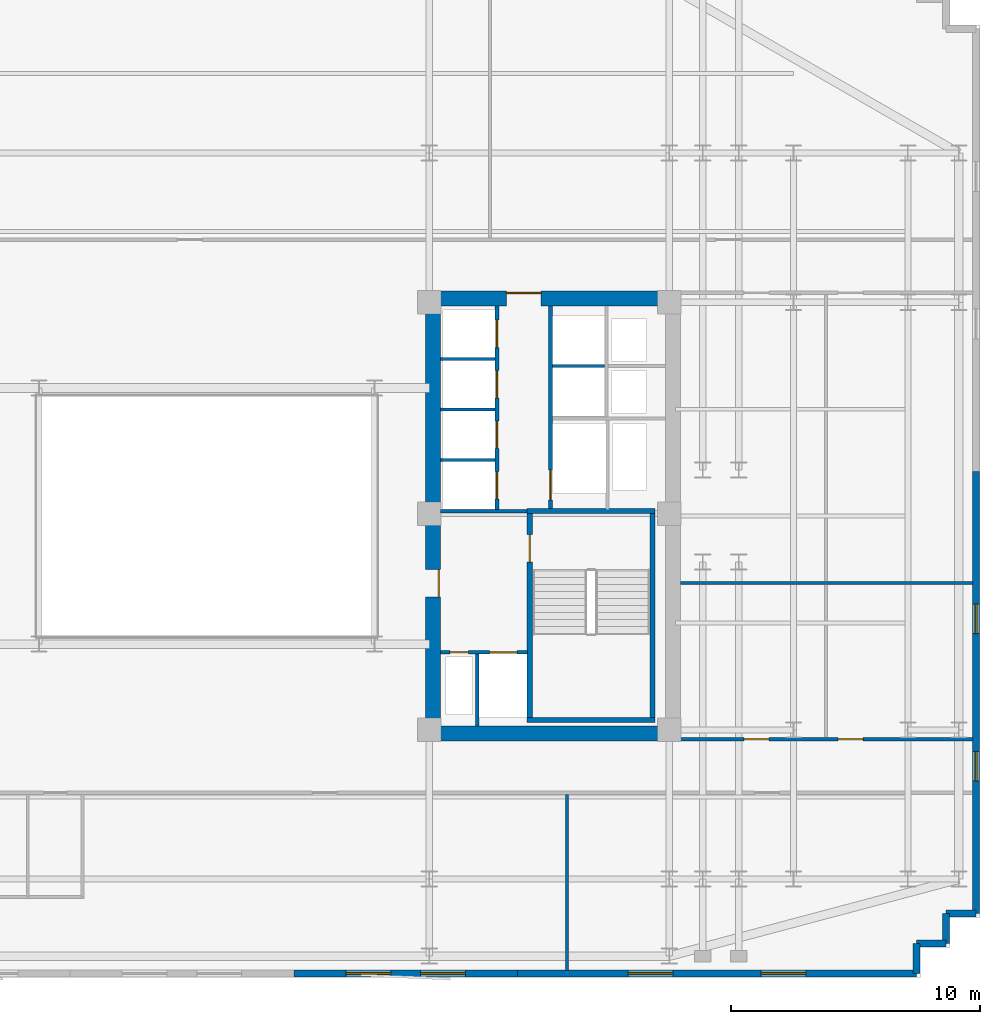
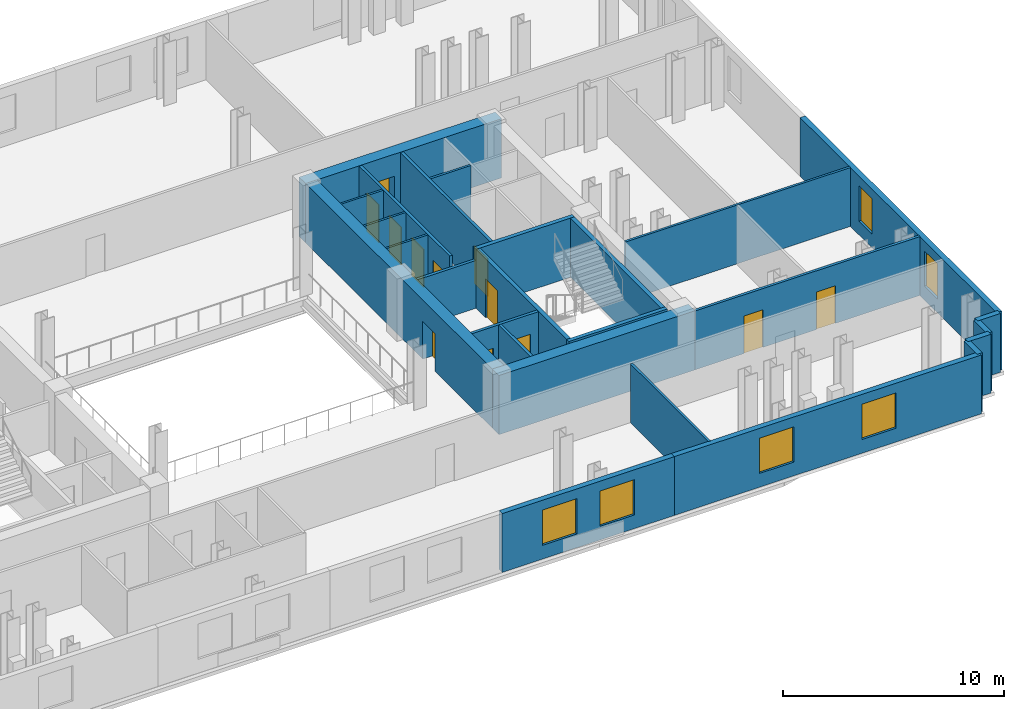
# One storey, part 6 of 10: 26 walls, 12 doors, 6 windows, 18 openings.
"""IFC4 building model written with IfcOpenShell, lengths in metres."""

from ifc_helpers import new_model, si_unit, direction, frame, frame_2d, origin, place, context, subcontext, project, spatial, rectangle, extrude, material, layer, layer_set, type_object, element, fill, save


model = new_model("IFC4")

# Units and contexts
model_context = context("Model", 3, precision=1e-05, world=origin(), true_north=direction((0.0, 1.0)))
body_context = subcontext(model_context, "Body", "Model", "MODEL_VIEW")
ifc_project = project(units=[si_unit("LENGTHUNIT", "METRE"), si_unit("AREAUNIT", "SQUARE_METRE"), si_unit("VOLUMEUNIT", "CUBIC_METRE"), si_unit("PLANEANGLEUNIT", "RADIAN"), si_unit("MASSUNIT", "GRAM", prefix="KILO")], contexts=[model_context])

# Site, building, storey
site_placement = place(None, origin())
site = spatial("IfcSite", under=ifc_project, at=site_placement, CompositionType="ELEMENT")
building_placement = place(site_placement, origin())
building = spatial("IfcBuilding", under=site, at=building_placement, Name="Velakula Bourse", CompositionType="ELEMENT")
storey_placement = place(building_placement, frame((0.0, 0.0, 124.300048828125)))
storey = spatial("IfcBuildingStorey", under=building, at=storey_placement, Name="L33", CompositionType="ELEMENT", Elevation=124.300048828125)

# Wall, opening, door
ifc_material_1 = material(Name="Concrete M50 (fck 50 MPa)", Category="concrete")
ifc_layer_1 = layer(ifc_material_1, 0.2099609375, Name="Concrete M50 (fck 50 MPa)", Category="concrete")
ifc_layer_set_1 = layer_set([ifc_layer_1], Name="Concrete M50 (fck 50 MPa)")
wall_type_1 = type_object("IfcWallType", Name="WL-CORE-210", PredefinedType="SHEAR", material=ifc_layer_set_1)
wall_1_placement = place(storey_placement, frame((12.9951171875, -8.10009765625, 0.0), z_axis=(0.0, 0.0, 1.0), x_axis=(0.0, 1.0, 0.0)))
wall_1 = element("IfcWall", 1, at=wall_1_placement, inside=storey, type_object=wall_type_1, Name="L33 Core E Stairwell Shear Wall IN", PredefinedType="SHEAR", context=body_context, shape_type="SweptSolid", body=[
    extrude(rectangle(XDim=8.2001953125, YDim=0.2099609375, at=frame_2d((4.10009765625, 0.0))), origin(), (0.0, 0.0, 1.0), 3.27001953125),
])
opening_1_placement = place(wall_1_placement, frame((6.25, 0.0, 0.0)))
opening_1 = element("IfcOpeningElement", 2, at=opening_1_placement, cuts=wall_1, Name="Opening D-STE1", PredefinedType="OPENING", context=body_context, shape_type="SweptSolid", body=[
    extrude(rectangle(XDim=1.10009765625, YDim=2.14990234375, at=frame_2d((0.550048828125, 1.074951171875))), frame((0.0, 0.114990234375, 0.0), z_axis=(0.0, -1.0, 0.0), x_axis=(1.0, 0.0, 0.0)), (0.0, 0.0, 1.0), 0.22998046875),
])
ifc_material_2 = material(Name="Galvanised painted hollow steel fire door", Category="steel")
door_type_1 = type_object("IfcDoorType", Name="DR-FD120-1100x2150", OperationType="NOTDEFINED", PredefinedType="DOOR", material=ifc_material_2)
door_1_placement = place(opening_1_placement, origin())
door_1 = element("IfcDoor", 3, at=door_1_placement, inside=storey, type_object=door_type_1, Name="L33 Stair ST-E1 Fire Door", OperationType="SINGLE_SWING_RIGHT", OverallHeight=2.14990234375, OverallWidth=1.10009765625, PredefinedType="DOOR", context=body_context, shape_type="SweptSolid", body=[
    extrude(rectangle(XDim=1.10009765625, YDim=2.14990234375, at=frame_2d((0.550048828125, 1.074951171875))), frame((0.0, 0.02490234375, 0.0), z_axis=(0.0, -1.0, 0.0), x_axis=(1.0, 0.0, 0.0)), (0.0, 0.0, 1.0), 0.050048828125),
])
fill(opening_1, door_1)

# Walls
wall_2_placement = place(storey_placement, frame((17.925048828125, -8.10009765625, 0.0), z_axis=(0.0, 0.0, 1.0), x_axis=(0.0, 1.0, 0.0)))
element("IfcWall", 4, at=wall_2_placement, inside=storey, type_object=wall_type_1, Name="L33 Core E Stairwell Shear Wall OUT", PredefinedType="SHEAR", context=body_context, shape_type="SweptSolid", body=[
    extrude(rectangle(XDim=8.2001953125, YDim=0.2099609375, at=frame_2d((4.10009765625, 0.0))), origin(), (0.0, 0.0, 1.0), 3.27001953125),
])
for number, where, z_axis, x_axis, name in (
    (5, (12.889892578125, -8.205078125, 0.0), (0.0, 0.0, 1.0), (1.0, 0.0, 0.0), "L33 Core E Stairwell Shear Wall S"),
    (6, (18.030029296875, 0.205078125, 0.0), (0.0, 0.0, 1.0), (-1.0, 0.0, 0.0), "L33 Core E Stairwell Shear Wall N"),
):
    element("IfcWall", number, at=place(storey_placement, frame(where, z_axis=z_axis, x_axis=x_axis)), inside=storey, type_object=wall_type_1, Name=name, PredefinedType="SHEAR", context=body_context, shape_type="SweptSolid", body=[
        extrude(rectangle(XDim=5.14013671875, YDim=0.2099609375, at=frame_2d((2.570068359375, 0.0))), origin(), (0.0, 0.0, 1.0), 3.27001953125),
    ])
ifc_material_3 = material(Name="Concrete M70 (fck 70 MPa)", Category="concrete")
ifc_layer_2 = layer(ifc_material_3, 0.60009765625, Name="Concrete M70 (fck 70 MPa)", Category="concrete")
ifc_layer_set_2 = layer_set([ifc_layer_2], Name="Concrete M70 (fck 70 MPa)")
wall_type_2 = type_object("IfcWallType", Name="WL-CORE-600", PredefinedType="SHEAR", material=ifc_layer_set_2)
wall_3_placement = place(storey_placement, frame((8.800048828125, -8.75, 0.0), z_axis=(0.0, 0.0, 1.0), x_axis=(1.0, 0.0, 0.0)))
element("IfcWall", 7, at=wall_3_placement, inside=storey, type_object=wall_type_2, Name="L33 Core E Shear Wall S", PredefinedType="SHEAR", context=body_context, shape_type="SweptSolid", body=[
    extrude(rectangle(XDim=10.25, YDim=0.60009765625, at=frame_2d((5.125, 0.0))), origin(), (0.0, 0.0, 1.0), 3.27001953125),
])

# Wall, opening, door
wall_4_placement = place(storey_placement, frame((8.800048828125, 8.75, 0.0), z_axis=(0.0, 0.0, 1.0), x_axis=(1.0, 0.0, 0.0)))
wall_4 = element("IfcWall", 8, at=wall_4_placement, inside=storey, type_object=wall_type_2, Name="L33 Core E Shear Wall N", PredefinedType="SHEAR", context=body_context, shape_type="SweptSolid", body=[
    extrude(rectangle(XDim=10.25, YDim=0.60009765625, at=frame_2d((5.125, 0.0))), origin(), (0.0, 0.0, 1.0), 3.27001953125),
])
opening_2_placement = place(wall_4_placement, frame((3.25, 0.0, 0.0)))
opening_2 = element("IfcOpeningElement", 9, at=opening_2_placement, cuts=wall_4, Name="Opening D-LLE", PredefinedType="OPENING", context=body_context, shape_type="SweptSolid", body=[
    extrude(rectangle(XDim=1.39990234375, YDim=2.050048828125, at=frame_2d((0.699951171875, 1.02490234375))), frame((0.0, 0.31005859375, 0.0), z_axis=(0.0, -1.0, 0.0), x_axis=(1.0, 0.0, 0.0)), (0.0, 0.0, 1.0), 0.6201171875),
])
ifc_material_4 = material(Name="Fire-rated hardwood flush architectural door", Category="wood")
door_type_2 = type_object("IfcDoorType", Name="DR-DBL-FD60-1400", OperationType="DOUBLE_DOOR_SINGLE_SWING", PredefinedType="DOOR", material=ifc_material_4)
door_2_placement = place(opening_2_placement, origin())
door_2 = element("IfcDoor", 10, at=door_2_placement, inside=storey, type_object=door_type_2, Name="L33 Core E Lift Lobby Corridor Double Door", OperationType="DOUBLE_DOOR_SINGLE_SWING", OverallHeight=2.050048828125, OverallWidth=1.39990234375, PredefinedType="DOOR", context=body_context, shape_type="SweptSolid", body=[
    extrude(rectangle(XDim=1.39990234375, YDim=2.050048828125, at=frame_2d((0.699951171875, 1.02490234375))), frame((0.0, 0.2451171875, 0.0), z_axis=(0.0, -1.0, 0.0), x_axis=(1.0, 0.0, 0.0)), (0.0, 0.0, 1.0), 0.050048828125),
])
fill(opening_2, door_2)

wall_5_placement = place(storey_placement, frame((9.10009765625, -8.449951171875, 0.0), z_axis=(0.0, 0.0, 1.0), x_axis=(0.0, 1.0, 0.0)))
wall_5 = element("IfcWall", 11, at=wall_5_placement, inside=storey, type_object=wall_type_2, Name="L33 Core E Shear Wall W", PredefinedType="SHEAR", context=body_context, shape_type="SweptSolid", body=[
    extrude(rectangle(XDim=16.89990234375, YDim=0.60009765625, at=frame_2d((8.449951171875, 0.0))), origin(), (0.0, 0.0, 1.0), 3.27001953125),
])
opening_3_placement = place(wall_5_placement, frame((5.199951171875, 0.0, 0.0)))
opening_3 = element("IfcOpeningElement", 12, at=opening_3_placement, cuts=wall_5, Name="Opening D-FLE", PredefinedType="OPENING", context=body_context, shape_type="SweptSolid", body=[
    extrude(rectangle(XDim=1.10009765625, YDim=2.080078125, at=frame_2d((0.550048828125, 1.0400390625))), frame((0.0, 0.31005859375, 0.0), z_axis=(0.0, -1.0, 0.0), x_axis=(1.0, 0.0, 0.0)), (0.0, 0.0, 1.0), 0.6201171875),
])
door_type_3 = type_object("IfcDoorType", Name="DR-FD120-1100", OperationType="NOTDEFINED", PredefinedType="DOOR", material=ifc_material_2)
door_3_placement = place(opening_3_placement, origin())
door_3 = element("IfcDoor", 13, at=door_3_placement, inside=storey, type_object=door_type_3, Name="L33 Firefighting Lobby E Corridor Fire Door", OperationType="SINGLE_SWING_RIGHT", OverallHeight=2.080078125, OverallWidth=1.10009765625, PredefinedType="DOOR", context=body_context, shape_type="SweptSolid", body=[
    extrude(rectangle(XDim=1.10009765625, YDim=2.080078125, at=frame_2d((0.550048828125, 1.0400390625))), frame((0.0, -0.205078125, 0.0), z_axis=(0.0, -1.0, 0.0), x_axis=(1.0, 0.0, 0.0)), (0.0, 0.0, 1.0), 0.050048828125),
])
fill(opening_3, door_3)

# Wall, openings, windows
ifc_material_5 = material(Name="Red kilned clay facing brick masonry", Category="masonry")
ifc_layer_3 = layer(ifc_material_5, 0.280029296875, Name="Red kilned clay facing brick masonry", Category="masonry")
ifc_layer_set_3 = layer_set([ifc_layer_3], Name="Red kilned clay facing brick masonry")
wall_type_3 = type_object("IfcWallType", Name="WL-EXT-BRK-280", PredefinedType="STANDARD", material=ifc_layer_set_3)
wall_6_placement = place(storey_placement, frame((12.5, -18.389892578125, 0.0), z_axis=(0.0, 0.0, 1.0), x_axis=(-1.0, 0.0, 0.0)))
wall_6 = element("IfcWall", 14, at=wall_6_placement, inside=storey, type_object=wall_type_3, Name="L33 S Brick Spandrel Wall B4", PredefinedType="STANDARD", context=body_context, shape_type="SweptSolid", body=[
    extrude(rectangle(XDim=9.0, YDim=0.280029296875, at=frame_2d((4.5, 0.0))), origin(), (0.0, 0.0, 1.0), 3.25),
])
opening_4_placement = place(wall_6_placement, frame((2.10009765625, 0.0, 0.760009765625)))
opening_4 = element("IfcOpeningElement", 15, at=opening_4_placement, cuts=wall_6, Name="Opening W-01", PredefinedType="OPENING", context=body_context, shape_type="SweptSolid", body=[
    extrude(rectangle(XDim=1.800048828125, YDim=1.949951171875, at=frame_2d((0.89990234375, 0.97509765625))), frame((0.0, 0.14990234375, 0.0), z_axis=(0.0, -1.0, 0.0), x_axis=(1.0, 0.0, 0.0)), (0.0, 0.0, 1.0), 0.300048828125),
])
opening_5_placement = place(wall_6_placement, frame((5.10009765625, 0.0, 0.760009765625)))
opening_5 = element("IfcOpeningElement", 16, at=opening_5_placement, cuts=wall_6, Name="Opening W-01", PredefinedType="OPENING", context=body_context, shape_type="SweptSolid", body=[
    extrude(rectangle(XDim=1.800048828125, YDim=1.949951171875, at=frame_2d((0.89990234375, 0.97509765625))), frame((0.0, 0.14990234375, 0.0), z_axis=(0.0, -1.0, 0.0), x_axis=(1.0, 0.0, 0.0)), (0.0, 0.0, 1.0), 0.300048828125),
])
ifc_material_6 = material(Name="Double-glazed solar-control Low-E glass", Category="glass")
window_type_1 = type_object("IfcWindowType", Name="WIN-TWR-1800x2100", PartitioningType="SINGLE_PANEL", PredefinedType="WINDOW", material=ifc_material_6)
window_1_placement = place(opening_4_placement, origin())
window_1 = element("IfcWindow", 17, at=window_1_placement, inside=storey, type_object=window_type_1, Name="L33 Deep-Set Recessed Window 1", OverallHeight=1.949951171875, OverallWidth=1.800048828125, PartitioningType="SINGLE_PANEL", PredefinedType="WINDOW", context=body_context, shape_type="SweptSolid", body=[
    extrude(rectangle(XDim=1.800048828125, YDim=1.949951171875, at=frame_2d((0.89990234375, 0.97509765625))), frame((0.0, 0.030029296875, 0.0), z_axis=(0.0, -1.0, 0.0), x_axis=(1.0, 0.0, 0.0)), (0.0, 0.0, 1.0), 0.06005859375),
])
fill(opening_4, window_1)
window_2_placement = place(opening_5_placement, origin())
window_2 = element("IfcWindow", 18, at=window_2_placement, inside=storey, type_object=window_type_1, Name="L33 Deep-Set Recessed Window 2", OverallHeight=1.949951171875, OverallWidth=1.800048828125, PartitioningType="SINGLE_PANEL", PredefinedType="WINDOW", context=body_context, shape_type="SweptSolid", body=[
    extrude(rectangle(XDim=1.800048828125, YDim=1.949951171875, at=frame_2d((0.89990234375, 0.97509765625))), frame((0.0, 0.030029296875, 0.0), z_axis=(0.0, -1.0, 0.0), x_axis=(1.0, 0.0, 0.0)), (0.0, 0.0, 1.0), 0.06005859375),
])
fill(opening_5, window_2)

wall_7_placement = place(storey_placement, frame((28.5400390625, -18.389892578125, 0.0), z_axis=(0.0, 0.0, 1.0), x_axis=(-1.0, 0.0, 0.0)))
wall_7 = element("IfcWall", 19, at=wall_7_placement, inside=storey, type_object=wall_type_3, Name="L33 S Brick Spandrel Wall B5", PredefinedType="STANDARD", context=body_context, shape_type="SweptSolid", body=[
    extrude(rectangle(XDim=16.0400390625, YDim=0.280029296875, at=frame_2d((8.02001953125, 0.0))), origin(), (0.0, 0.0, 1.0), 3.25),
])
opening_6_placement = place(wall_7_placement, frame((4.44677734375, 0.0, 0.760009765625)))
opening_6 = element("IfcOpeningElement", 20, at=opening_6_placement, cuts=wall_7, Name="Opening W-01", PredefinedType="OPENING", context=body_context, shape_type="SweptSolid", body=[
    extrude(rectangle(XDim=1.800048828125, YDim=1.949951171875, at=frame_2d((0.89990234375, 0.97509765625))), frame((0.0, 0.14990234375, 0.0), z_axis=(0.0, -1.0, 0.0), x_axis=(1.0, 0.0, 0.0)), (0.0, 0.0, 1.0), 0.300048828125),
])
opening_7_placement = place(wall_7_placement, frame((9.793212890625, 0.0, 0.760009765625)))
opening_7 = element("IfcOpeningElement", 21, at=opening_7_placement, cuts=wall_7, Name="Opening W-01", PredefinedType="OPENING", context=body_context, shape_type="SweptSolid", body=[
    extrude(rectangle(XDim=1.800048828125, YDim=1.949951171875, at=frame_2d((0.89990234375, 0.97509765625))), frame((0.0, 0.14990234375, 0.0), z_axis=(0.0, -1.0, 0.0), x_axis=(1.0, 0.0, 0.0)), (0.0, 0.0, 1.0), 0.300048828125),
])
window_3_placement = place(opening_6_placement, origin())
window_3 = element("IfcWindow", 22, at=window_3_placement, inside=storey, type_object=window_type_1, Name="L33 Deep-Set Recessed Window 1", OverallHeight=1.949951171875, OverallWidth=1.800048828125, PartitioningType="SINGLE_PANEL", PredefinedType="WINDOW", context=body_context, shape_type="SweptSolid", body=[
    extrude(rectangle(XDim=1.800048828125, YDim=1.949951171875, at=frame_2d((0.89990234375, 0.97509765625))), frame((0.0, 0.030029296875, 0.0), z_axis=(0.0, -1.0, 0.0), x_axis=(1.0, 0.0, 0.0)), (0.0, 0.0, 1.0), 0.06005859375),
])
fill(opening_6, window_3)
window_4_placement = place(opening_7_placement, origin())
window_4 = element("IfcWindow", 23, at=window_4_placement, inside=storey, type_object=window_type_1, Name="L33 Deep-Set Recessed Window 2", OverallHeight=1.949951171875, OverallWidth=1.800048828125, PartitioningType="SINGLE_PANEL", PredefinedType="WINDOW", context=body_context, shape_type="SweptSolid", body=[
    extrude(rectangle(XDim=1.800048828125, YDim=1.949951171875, at=frame_2d((0.89990234375, 0.97509765625))), frame((0.0, 0.030029296875, 0.0), z_axis=(0.0, -1.0, 0.0), x_axis=(1.0, 0.0, 0.0)), (0.0, 0.0, 1.0), 0.06005859375),
])
fill(opening_7, window_4)

wall_8_placement = place(storey_placement, frame((30.93994140625, 1.800048828125, 0.0), z_axis=(0.0, 0.0, 1.0), x_axis=(0.0, -1.0, 0.0)))
wall_8 = element("IfcWall", 24, at=wall_8_placement, inside=storey, type_object=wall_type_3, Name="L33 E Brick End Wall W1", PredefinedType="STANDARD", context=body_context, shape_type="SweptSolid", body=[
    extrude(rectangle(XDim=17.7900390625, YDim=0.280029296875, at=frame_2d((8.89501953125, 0.0))), origin(), (0.0, 0.0, 1.0), 3.25),
])
opening_8_placement = place(wall_8_placement, frame((5.330078125, 0.0, 0.760009765625)))
opening_8 = element("IfcOpeningElement", 25, at=opening_8_placement, cuts=wall_8, Name="Opening W-04", PredefinedType="OPENING", context=body_context, shape_type="SweptSolid", body=[
    extrude(rectangle(XDim=1.199951171875, YDim=1.949951171875, at=frame_2d((0.60009765625, 0.97509765625))), frame((0.0, 0.14990234375, 0.0), z_axis=(0.0, -1.0, 0.0), x_axis=(1.0, 0.0, 0.0)), (0.0, 0.0, 1.0), 0.300048828125),
])
opening_9_placement = place(wall_8_placement, frame((11.260009765625, 0.0, 0.760009765625)))
opening_9 = element("IfcOpeningElement", 26, at=opening_9_placement, cuts=wall_8, Name="Opening W-04", PredefinedType="OPENING", context=body_context, shape_type="SweptSolid", body=[
    extrude(rectangle(XDim=1.199951171875, YDim=1.949951171875, at=frame_2d((0.60009765625, 0.97509765625))), frame((0.0, 0.14990234375, 0.0), z_axis=(0.0, -1.0, 0.0), x_axis=(1.0, 0.0, 0.0)), (0.0, 0.0, 1.0), 0.300048828125),
])
window_type_2 = type_object("IfcWindowType", Name="WIN-TWR-1200x2100", PartitioningType="SINGLE_PANEL", PredefinedType="WINDOW", material=ifc_material_6)
window_5_placement = place(opening_8_placement, origin())
window_5 = element("IfcWindow", 27, at=window_5_placement, inside=storey, type_object=window_type_2, Name="L33 Deep-Set Recessed Window 1", OverallHeight=1.949951171875, OverallWidth=1.199951171875, PartitioningType="SINGLE_PANEL", PredefinedType="WINDOW", context=body_context, shape_type="SweptSolid", body=[
    extrude(rectangle(XDim=1.199951171875, YDim=1.949951171875, at=frame_2d((0.60009765625, 0.97509765625))), frame((0.0, 0.030029296875, 0.0), z_axis=(0.0, -1.0, 0.0), x_axis=(1.0, 0.0, 0.0)), (0.0, 0.0, 1.0), 0.06005859375),
])
fill(opening_8, window_5)
window_6_placement = place(opening_9_placement, origin())
window_6 = element("IfcWindow", 28, at=window_6_placement, inside=storey, type_object=window_type_2, Name="L33 Deep-Set Recessed Window 2", OverallHeight=1.949951171875, OverallWidth=1.199951171875, PartitioningType="SINGLE_PANEL", PredefinedType="WINDOW", context=body_context, shape_type="SweptSolid", body=[
    extrude(rectangle(XDim=1.199951171875, YDim=1.949951171875, at=frame_2d((0.60009765625, 0.97509765625))), frame((0.0, 0.030029296875, 0.0), z_axis=(0.0, -1.0, 0.0), x_axis=(1.0, 0.0, 0.0)), (0.0, 0.0, 1.0), 0.06005859375),
])
fill(opening_9, window_6)

# Walls
for number, where, z_axis, x_axis, name in (
    (29, (28.5400390625, -18.389892578125, 0.0), (0.0, 0.0, 1.0), (0.0, 1.0, 0.0), "L33 Serrated Corner Brick Wall SE-1"),
    (30, (28.5400390625, -17.18994140625, 0.0), (0.0, 0.0, 1.0), (1.0, 0.0, 0.0), "L33 Serrated Corner Brick Wall SE-2"),
    (31, (29.739990234375, -17.18994140625, 0.0), (0.0, 0.0, 1.0), (0.0, 1.0, 0.0), "L33 Serrated Corner Brick Wall SE-3"),
    (32, (29.739990234375, -15.989990234375, 0.0), (0.0, 0.0, 1.0), (1.0, 0.0, 0.0), "L33 Serrated Corner Brick Wall SE-4"),
):
    element("IfcWall", number, at=place(storey_placement, frame(where, z_axis=z_axis, x_axis=x_axis)), inside=storey, type_object=wall_type_3, Name=name, PredefinedType="STANDARD", context=body_context, shape_type="SweptSolid", body=[
        extrude(rectangle(XDim=1.199951171875, YDim=0.280029296875, at=frame_2d((0.60009765625, 0.0))), origin(), (0.0, 0.0, 1.0), 3.25),
    ])
ifc_material_7 = material(Name="Fire-rated double-layer gypsum drywall partition", Category="gypsum")
ifc_layer_4 = layer(ifc_material_7, 0.1201171875, Name="Fire-rated double-layer gypsum drywall partition", Category="gypsum")
ifc_layer_set_4 = layer_set([ifc_layer_4], Name="Fire-rated double-layer gypsum drywall partition")
wall_type_4 = type_object("IfcWallType", Name="WL-PART-120", PredefinedType="STANDARD", material=ifc_layer_set_4)
for number, where, z_axis, x_axis, name in (
    (33, (9.39990234375, 2.2548828125, 0.0), (0.0, 0.0, 1.0), (1.0, 0.0, 0.0), "L33 Interior Partition WL-CRE-L33-BDIV-0"),
    (34, (9.39990234375, 4.284912109375, 0.0), (0.0, 0.0, 1.0), (1.0, 0.0, 0.0), "L33 Interior Partition WL-CRE-L33-BDIV-1"),
    (35, (9.39990234375, 6.31494140625, 0.0), (0.0, 0.0, 1.0), (1.0, 0.0, 0.0), "L33 Interior Partition WL-CRE-L33-BDIV-2"),
):
    element("IfcWall", number, at=place(storey_placement, frame(where, z_axis=z_axis, x_axis=x_axis)), inside=storey, type_object=wall_type_4, Name=name, PredefinedType="STANDARD", context=body_context, shape_type="SweptSolid", body=[
        extrude(rectangle(XDim=2.2001953125, YDim=0.110107421875, at=frame_2d((1.10009765625, 0.0))), origin(), (0.0, 0.0, 1.0), 3.25),
    ])
wall_9_placement = place(storey_placement, frame((13.89990234375, 6.030029296875, 0.0), z_axis=(0.0, 0.0, 1.0), x_axis=(1.0, 0.0, 0.0)))
element("IfcWall", 36, at=wall_9_placement, inside=storey, type_object=wall_type_4, Name="L33 Interior Partition WL-CRE-L33-HI-DIV", PredefinedType="STANDARD", context=body_context, shape_type="SweptSolid", body=[
    extrude(rectangle(XDim=2.10009765625, YDim=0.1201171875, at=frame_2d((1.050048828125, 0.0))), origin(), (0.0, 0.0, 1.0), 3.25),
])
wall_10_placement = place(storey_placement, frame((14.489013671875, -18.27001953125, 0.0), z_axis=(0.0, 0.0, 1.0), x_axis=(0.0, 1.0, 0.0)))
element("IfcWall", 37, at=wall_10_placement, inside=storey, type_object=wall_type_4, Name="L33 Interior Partition WL-INT-L33-SR-D6", PredefinedType="STANDARD", context=body_context, shape_type="SweptSolid", body=[
    extrude(rectangle(XDim=7.080078125, YDim=0.1201171875, at=frame_2d((3.5400390625, 0.0))), origin(), (0.0, 0.0, 1.0), 3.25),
])
wall_11_placement = place(storey_placement, frame((19.050048828125, -2.699951171875, 0.0), z_axis=(0.0, 0.0, 1.0), x_axis=(1.0, 0.0, 0.0)))
element("IfcWall", 38, at=wall_11_placement, inside=storey, type_object=wall_type_4, Name="L33 Interior Partition WL-INT-L33-E-H", PredefinedType="STANDARD", context=body_context, shape_type="SweptSolid", body=[
    extrude(rectangle(XDim=11.77001953125, YDim=0.1201171875, at=frame_2d((5.885009765625, 0.0))), origin(), (0.0, 0.0, 1.0), 3.25),
])

# Wall, openings, doors
ifc_layer_5 = layer(ifc_material_7, 0.139892578125, Name="Fire-rated double-layer gypsum drywall partition", Category="gypsum")
ifc_layer_set_5 = layer_set([ifc_layer_5], Name="Fire-rated double-layer gypsum drywall partition")
wall_type_5 = type_object("IfcWallType", Name="WL-PART-140", PredefinedType="STANDARD", material=ifc_layer_set_5)
wall_12_placement = place(storey_placement, frame((19.050048828125, -8.97998046875, 0.0), z_axis=(0.0, 0.0, 1.0), x_axis=(1.0, 0.0, 0.0)))
wall_12 = element("IfcWall", 39, at=wall_12_placement, inside=storey, type_object=wall_type_5, Name="L33 Interior Partition WL-INT-L33-E-SC", PredefinedType="STANDARD", context=body_context, shape_type="SweptSolid", body=[
    extrude(rectangle(XDim=11.77001953125, YDim=0.139892578125, at=frame_2d((5.885009765625, 0.0))), origin(), (0.0, 0.0, 1.0), 3.25),
])
opening_10_placement = place(wall_12_placement, frame((2.5576171875, 0.0, 0.0)))
opening_10 = element("IfcOpeningElement", 40, at=opening_10_placement, cuts=wall_12, Name="Opening D-OF1", PredefinedType="OPENING", context=body_context, shape_type="SweptSolid", body=[
    extrude(rectangle(XDim=1.0, YDim=2.080078125, at=frame_2d((0.5, 1.0400390625))), frame((0.0, 0.079833984375, 0.0), z_axis=(0.0, -1.0, 0.0), x_axis=(1.0, 0.0, 0.0)), (0.0, 0.0, 1.0), 0.159912109375),
])
opening_11_placement = place(wall_12_placement, frame((6.346923828125, 0.0, 0.0)))
opening_11 = element("IfcOpeningElement", 41, at=opening_11_placement, cuts=wall_12, Name="Opening D-OF1", PredefinedType="OPENING", context=body_context, shape_type="SweptSolid", body=[
    extrude(rectangle(XDim=1.0, YDim=2.080078125, at=frame_2d((0.5, 1.0400390625))), frame((0.0, 0.079833984375, 0.0), z_axis=(0.0, -1.0, 0.0), x_axis=(1.0, 0.0, 0.0)), (0.0, 0.0, 1.0), 0.159912109375),
])
door_type_4 = type_object("IfcDoorType", Name="DR-OFF-1000", OperationType="NOTDEFINED", PredefinedType="DOOR", material=ifc_material_4)
door_4_placement = place(opening_10_placement, origin())
door_4 = element("IfcDoor", 42, at=door_4_placement, inside=storey, type_object=door_type_4, Name="L33 Legal Counsel Office Door", OperationType="SINGLE_SWING_LEFT", OverallHeight=2.080078125, OverallWidth=1.0, PredefinedType="DOOR", context=body_context, shape_type="SweptSolid", body=[
    extrude(rectangle(XDim=1.0, YDim=2.080078125, at=frame_2d((0.5, 1.0400390625))), frame((0.0, 0.02490234375, 0.0), z_axis=(0.0, -1.0, 0.0), x_axis=(1.0, 0.0, 0.0)), (0.0, 0.0, 1.0), 0.050048828125),
])
fill(opening_10, door_4)
door_5_placement = place(opening_11_placement, origin())
door_5 = element("IfcDoor", 43, at=door_5_placement, inside=storey, type_object=door_type_4, Name="L33 Disciplinary Hearing Room Door", OperationType="SINGLE_SWING_RIGHT", OverallHeight=2.080078125, OverallWidth=1.0, PredefinedType="DOOR", context=body_context, shape_type="SweptSolid", body=[
    extrude(rectangle(XDim=1.0, YDim=2.080078125, at=frame_2d((0.5, 1.0400390625))), frame((0.0, 0.02490234375, 0.0), z_axis=(0.0, -1.0, 0.0), x_axis=(1.0, 0.0, 0.0)), (0.0, 0.0, 1.0), 0.050048828125),
])
fill(opening_11, door_5)

ifc_material_8 = material(Name="Autoclaved aerated concrete blockwork masonry", Category="masonry")
ifc_layer_6 = layer(ifc_material_8, 0.14990234375, Name="Autoclaved aerated concrete blockwork masonry", Category="masonry")
ifc_layer_set_6 = layer_set([ifc_layer_6], Name="Autoclaved aerated concrete blockwork masonry")
wall_type_6 = type_object("IfcWallType", Name="WL-SHAFT-150", PredefinedType="STANDARD", material=ifc_layer_set_6)
wall_13_placement = place(storey_placement, frame((9.39990234375, -5.47509765625, 0.0), z_axis=(0.0, 0.0, 1.0), x_axis=(1.0, 0.0, 0.0)))
wall_13 = element("IfcWall", 44, at=wall_13_placement, inside=storey, type_object=wall_type_6, Name="L33 Interior Partition WL-CRE-L33-FFL-N", PredefinedType="STANDARD", context=body_context, shape_type="SweptSolid", body=[
    extrude(rectangle(XDim=3.4951171875, YDim=0.14990234375, at=frame_2d((1.74755859375, 0.0))), origin(), (0.0, 0.0, 1.0), 3.25),
])
opening_12_placement = place(wall_13_placement, frame((1.97509765625, 0.0, 0.0)))
opening_12 = element("IfcOpeningElement", 45, at=opening_12_placement, cuts=wall_13, Name="Opening LD-FFL-2", PredefinedType="OPENING", context=body_context, shape_type="SweptSolid", body=[
    extrude(rectangle(XDim=1.10009765625, YDim=2.14990234375, at=frame_2d((0.550048828125, 1.074951171875))), frame((0.0, 0.0849609375, 0.0), z_axis=(0.0, -1.0, 0.0), x_axis=(1.0, 0.0, 0.0)), (0.0, 0.0, 1.0), 0.169921875),
])
opening_13_placement = place(wall_13_placement, frame((0.375, 0.0, 0.0)))
opening_13 = element("IfcOpeningElement", 46, at=opening_13_placement, cuts=wall_13, Name="Opening D-RS1", PredefinedType="OPENING", context=body_context, shape_type="SweptSolid", body=[
    extrude(rectangle(XDim=0.75, YDim=2.050048828125, at=frame_2d((0.375, 1.02490234375))), frame((0.0, 0.0849609375, 0.0), z_axis=(0.0, -1.0, 0.0), x_axis=(1.0, 0.0, 0.0)), (0.0, 0.0, 1.0), 0.169921875),
])
door_type_5 = type_object("IfcDoorType", Name="DR-RISER-800", OperationType="NOTDEFINED", PredefinedType="DOOR", material=ifc_material_2)
door_6_placement = place(opening_13_placement, origin())
door_6 = element("IfcDoor", 47, at=door_6_placement, inside=storey, type_object=door_type_5, Name="L33 Fire Riser Access Door", OperationType="SINGLE_SWING_LEFT", OverallHeight=2.050048828125, OverallWidth=0.75, PredefinedType="DOOR", context=body_context, shape_type="SweptSolid", body=[
    extrude(rectangle(XDim=0.75, YDim=2.050048828125, at=frame_2d((0.375, 1.02490234375))), frame((0.0, 0.02490234375, 0.0), z_axis=(0.0, -1.0, 0.0), x_axis=(1.0, 0.0, 0.0)), (0.0, 0.0, 1.0), 0.050048828125),
])
fill(opening_13, door_6)
ifc_material_9 = material(Name="Brushed grade 316 stainless steel", Category="steel")
door_type_6 = type_object("IfcDoorType", Name="DR-SLIDE-FFL-1100", OperationType="DOUBLE_DOOR_SLIDING", PredefinedType="DOOR", material=ifc_material_9)
door_7_placement = place(opening_12_placement, origin())
door_7 = element("IfcDoor", 48, at=door_7_placement, inside=storey, type_object=door_type_6, Name="L33 Firefighting Lift FFL-2 Sliding Landing Door", OperationType="DOUBLE_DOOR_SLIDING", OverallHeight=2.14990234375, OverallWidth=1.10009765625, PredefinedType="DOOR", context=body_context, shape_type="SweptSolid", body=[
    extrude(rectangle(XDim=1.10009765625, YDim=2.14990234375, at=frame_2d((0.550048828125, 1.074951171875))), frame((0.0, 0.02490234375, 0.0), z_axis=(0.0, -1.0, 0.0), x_axis=(1.0, 0.0, 0.0)), (0.0, 0.0, 1.0), 0.050048828125),
])
fill(opening_12, door_7)

# Walls
wall_14_placement = place(storey_placement, frame((10.875, -8.449951171875, 0.0), z_axis=(0.0, 0.0, 1.0), x_axis=(0.0, 1.0, 0.0)))
element("IfcWall", 49, at=wall_14_placement, inside=storey, type_object=wall_type_6, Name="L33 Interior Partition WL-CRE-L33-FR-DIV", PredefinedType="STANDARD", context=body_context, shape_type="SweptSolid", body=[
    extrude(rectangle(XDim=2.89990234375, YDim=0.14990234375, at=frame_2d((1.449951171875, 0.0))), origin(), (0.0, 0.0, 1.0), 3.25),
])
wall_15_placement = place(storey_placement, frame((9.39990234375, 0.18994140625, 0.0), z_axis=(0.0, 0.0, 1.0), x_axis=(1.0, 0.0, 0.0)))
element("IfcWall", 50, at=wall_15_placement, inside=storey, type_object=wall_type_6, Name="L33 Interior Partition WL-CRE-L33-FF-TOP", PredefinedType="STANDARD", context=body_context, shape_type="SweptSolid", body=[
    extrude(rectangle(XDim=3.489990234375, YDim=0.14990234375, at=frame_2d((1.7451171875, 0.0))), origin(), (0.0, 0.0, 1.0), 2.64501953125),
])

# Wall, openings, doors
wall_16_placement = place(storey_placement, frame((11.675048828125, 0.27001953125, 0.0), z_axis=(0.0, 0.0, 1.0), x_axis=(0.0, 1.0, 0.0)))
wall_16 = element("IfcWall", 51, at=wall_16_placement, inside=storey, type_object=wall_type_6, Name="L33 Interior Partition WL-CRE-L33-BANK-F", PredefinedType="STANDARD", context=body_context, shape_type="SweptSolid", body=[
    extrude(rectangle(XDim=8.179931640625, YDim=0.14990234375, at=frame_2d((4.08984375, 0.0))), origin(), (0.0, 0.0, 1.0), 3.25),
])
opening_14_placement = place(wall_16_placement, frame((0.419921875, 0.0, 0.0)))
opening_14 = element("IfcOpeningElement", 52, at=opening_14_placement, cuts=wall_16, Name="Opening LD-P5", PredefinedType="OPENING", context=body_context, shape_type="SweptSolid", body=[
    extrude(rectangle(XDim=1.10009765625, YDim=2.10009765625, at=frame_2d((0.550048828125, 1.050048828125))), frame((0.0, 0.0849609375, 0.0), z_axis=(0.0, -1.0, 0.0), x_axis=(1.0, 0.0, 0.0)), (0.0, 0.0, 1.0), 0.169921875),
])
opening_15_placement = place(wall_16_placement, frame((2.449951171875, 0.0, 0.0)))
opening_15 = element("IfcOpeningElement", 53, at=opening_15_placement, cuts=wall_16, Name="Opening LD-P6", PredefinedType="OPENING", context=body_context, shape_type="SweptSolid", body=[
    extrude(rectangle(XDim=1.10009765625, YDim=2.10009765625, at=frame_2d((0.550048828125, 1.050048828125))), frame((0.0, 0.0849609375, 0.0), z_axis=(0.0, -1.0, 0.0), x_axis=(1.0, 0.0, 0.0)), (0.0, 0.0, 1.0), 0.169921875),
])
opening_16_placement = place(wall_16_placement, frame((4.47998046875, 0.0, 0.0)))
opening_16 = element("IfcOpeningElement", 54, at=opening_16_placement, cuts=wall_16, Name="Opening LD-P7", PredefinedType="OPENING", context=body_context, shape_type="SweptSolid", body=[
    extrude(rectangle(XDim=1.10009765625, YDim=2.10009765625, at=frame_2d((0.550048828125, 1.050048828125))), frame((0.0, 0.0849609375, 0.0), z_axis=(0.0, -1.0, 0.0), x_axis=(1.0, 0.0, 0.0)), (0.0, 0.0, 1.0), 0.169921875),
])
opening_17_placement = place(wall_16_placement, frame((6.510009765625, 0.0, 0.0)))
opening_17 = element("IfcOpeningElement", 55, at=opening_17_placement, cuts=wall_16, Name="Opening LD-P8", PredefinedType="OPENING", context=body_context, shape_type="SweptSolid", body=[
    extrude(rectangle(XDim=1.10009765625, YDim=2.10009765625, at=frame_2d((0.550048828125, 1.050048828125))), frame((0.0, 0.0849609375, 0.0), z_axis=(0.0, -1.0, 0.0), x_axis=(1.0, 0.0, 0.0)), (0.0, 0.0, 1.0), 0.169921875),
])
door_type_7 = type_object("IfcDoorType", Name="DR-SLIDE-LD-1100", OperationType="DOUBLE_DOOR_SLIDING", PredefinedType="DOOR", material=ifc_material_9)
door_8_placement = place(opening_14_placement, origin())
door_8 = element("IfcDoor", 56, at=door_8_placement, inside=storey, type_object=door_type_7, Name="L33 Passenger Lift P5 Sliding Landing Door", OperationType="DOUBLE_DOOR_SLIDING", OverallHeight=2.10009765625, OverallWidth=1.10009765625, PredefinedType="DOOR", context=body_context, shape_type="SweptSolid", body=[
    extrude(rectangle(XDim=1.10009765625, YDim=2.10009765625, at=frame_2d((0.550048828125, 1.050048828125))), frame((0.0, 0.02490234375, 0.0), z_axis=(0.0, -1.0, 0.0), x_axis=(1.0, 0.0, 0.0)), (0.0, 0.0, 1.0), 0.050048828125),
])
fill(opening_14, door_8)
door_9_placement = place(opening_15_placement, origin())
door_9 = element("IfcDoor", 57, at=door_9_placement, inside=storey, type_object=door_type_7, Name="L33 Passenger Lift P6 Sliding Landing Door", OperationType="DOUBLE_DOOR_SLIDING", OverallHeight=2.10009765625, OverallWidth=1.10009765625, PredefinedType="DOOR", context=body_context, shape_type="SweptSolid", body=[
    extrude(rectangle(XDim=1.10009765625, YDim=2.10009765625, at=frame_2d((0.550048828125, 1.050048828125))), frame((0.0, 0.02490234375, 0.0), z_axis=(0.0, -1.0, 0.0), x_axis=(1.0, 0.0, 0.0)), (0.0, 0.0, 1.0), 0.050048828125),
])
fill(opening_15, door_9)
door_10_placement = place(opening_16_placement, origin())
door_10 = element("IfcDoor", 58, at=door_10_placement, inside=storey, type_object=door_type_7, Name="L33 Passenger Lift P7 Sliding Landing Door", OperationType="DOUBLE_DOOR_SLIDING", OverallHeight=2.10009765625, OverallWidth=1.10009765625, PredefinedType="DOOR", context=body_context, shape_type="SweptSolid", body=[
    extrude(rectangle(XDim=1.10009765625, YDim=2.10009765625, at=frame_2d((0.550048828125, 1.050048828125))), frame((0.0, 0.02490234375, 0.0), z_axis=(0.0, -1.0, 0.0), x_axis=(1.0, 0.0, 0.0)), (0.0, 0.0, 1.0), 0.050048828125),
])
fill(opening_16, door_10)
door_11_placement = place(opening_17_placement, origin())
door_11 = element("IfcDoor", 59, at=door_11_placement, inside=storey, type_object=door_type_7, Name="L33 Passenger Lift P8 Sliding Landing Door", OperationType="DOUBLE_DOOR_SLIDING", OverallHeight=2.10009765625, OverallWidth=1.10009765625, PredefinedType="DOOR", context=body_context, shape_type="SweptSolid", body=[
    extrude(rectangle(XDim=1.10009765625, YDim=2.10009765625, at=frame_2d((0.550048828125, 1.050048828125))), frame((0.0, 0.02490234375, 0.0), z_axis=(0.0, -1.0, 0.0), x_axis=(1.0, 0.0, 0.0)), (0.0, 0.0, 1.0), 0.050048828125),
])
fill(opening_17, door_11)

# Wall, opening, door
wall_17_placement = place(storey_placement, frame((13.824951171875, 0.27001953125, 0.0), z_axis=(0.0, 0.0, 1.0), x_axis=(0.0, 1.0, 0.0)))
wall_17 = element("IfcWall", 60, at=wall_17_placement, inside=storey, type_object=wall_type_6, Name="L33 Interior Partition WL-CRE-L33-OUT-F", PredefinedType="STANDARD", context=body_context, shape_type="SweptSolid", body=[
    extrude(rectangle(XDim=8.179931640625, YDim=0.14990234375, at=frame_2d((4.08984375, 0.0))), origin(), (0.0, 0.0, 1.0), 3.25),
])
opening_18_placement = place(wall_17_placement, frame((0.3798828125, 0.0, 0.0)))
opening_18 = element("IfcOpeningElement", 61, at=opening_18_placement, cuts=wall_17, Name="Opening LD-SVL1", PredefinedType="OPENING", context=body_context, shape_type="SweptSolid", body=[
    extrude(rectangle(XDim=1.199951171875, YDim=2.10009765625, at=frame_2d((0.60009765625, 1.050048828125))), frame((0.0, 0.0849609375, 0.0), z_axis=(0.0, -1.0, 0.0), x_axis=(1.0, 0.0, 0.0)), (0.0, 0.0, 1.0), 0.169921875),
])
door_type_8 = type_object("IfcDoorType", Name="DR-SLIDE-LD-1200", OperationType="DOUBLE_DOOR_SLIDING", PredefinedType="DOOR", material=ifc_material_9)
door_12_placement = place(opening_18_placement, origin())
door_12 = element("IfcDoor", 62, at=door_12_placement, inside=storey, type_object=door_type_8, Name="L33 Service Lift SVL-1 Sliding Landing Door", OperationType="DOUBLE_DOOR_SLIDING", OverallHeight=2.10009765625, OverallWidth=1.199951171875, PredefinedType="DOOR", context=body_context, shape_type="SweptSolid", body=[
    extrude(rectangle(XDim=1.199951171875, YDim=2.10009765625, at=frame_2d((0.60009765625, 1.050048828125))), frame((0.0, 0.02490234375, 0.0), z_axis=(0.0, -1.0, 0.0), x_axis=(1.0, 0.0, 0.0)), (0.0, 0.0, 1.0), 0.050048828125),
])
fill(opening_18, door_12)

save(model, "model.ifc")
